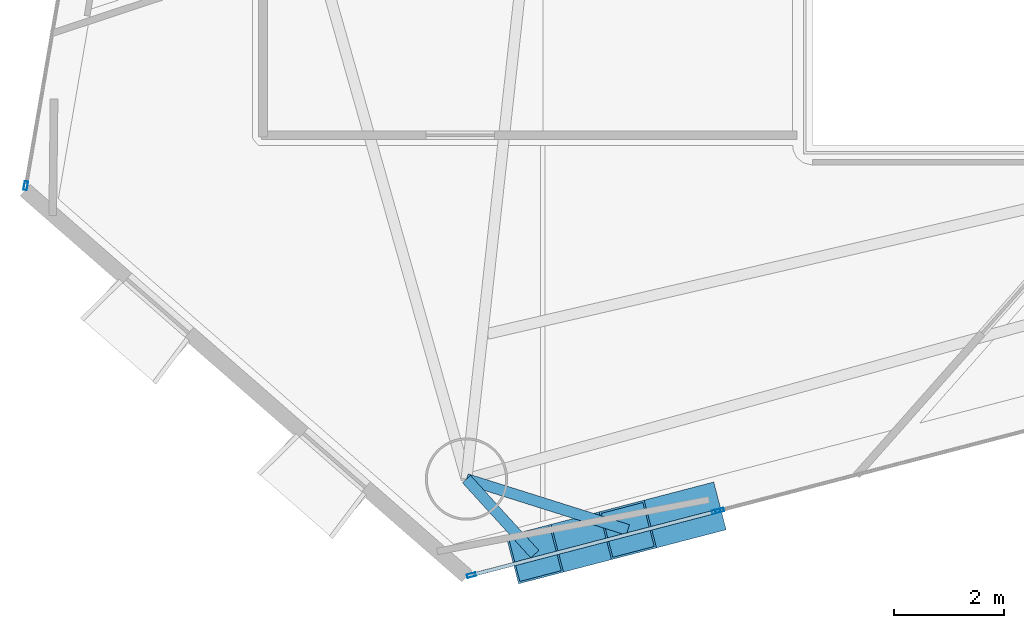
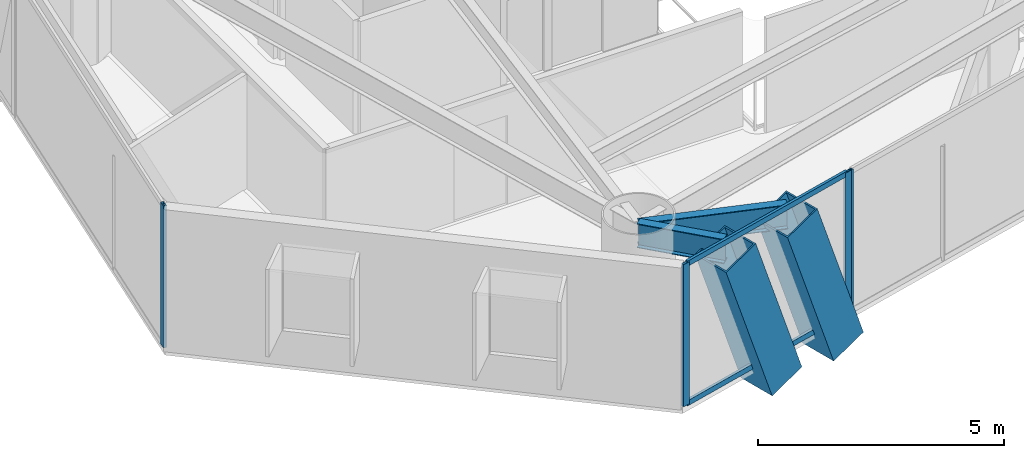
# One storey, part 2 of 21: 8 members, 2 beams, 3 elements without a shape of their own.
"""IFC4 building model written with IfcOpenShell, lengths in metres."""

from ifc_helpers import new_model, si_unit, direction, frame, origin, origin_2d, place, context, subcontext, project, spatial, hollow_rectangle, i_section, extrude, material, layer, layer_set, material_profile, profile_set, type_object, element, aggregate, save


model = new_model("IFC4")

# Units and contexts
model_context = context("Model", 3, precision=1e-05, world=origin(), true_north=direction((0.0, 1.0)))
body_context = subcontext(model_context, "Body", "Model", "MODEL_VIEW")
ifc_project = project(units=[si_unit("LENGTHUNIT", "METRE"), si_unit("AREAUNIT", "SQUARE_METRE"), si_unit("VOLUMEUNIT", "CUBIC_METRE"), si_unit("PLANEANGLEUNIT", "RADIAN"), si_unit("MASSUNIT", "GRAM", prefix="KILO")], contexts=[model_context])

# Site, building, storey
site_placement = place(None, origin())
site = spatial("IfcSite", under=ifc_project, at=site_placement, CompositionType="ELEMENT")
building_placement = place(site_placement, origin())
building = spatial("IfcBuilding", under=site, at=building_placement, Name="Qianvela Tower", CompositionType="ELEMENT")
storey_placement = place(building_placement, frame((0.0, 0.0, 108.89990234375)))
storey = spatial("IfcBuildingStorey", under=building, at=storey_placement, Name="L27", CompositionType="ELEMENT", Elevation=108.89990234375)

# Beams
ifc_material_1 = material(Name="Steel Q355B", Category="steel")
ifc_material_profile_1 = material_profile(ifc_material_1, i_section(OverallWidth=0.199951171875, OverallDepth=0.60009765625, WebThickness=0.010986328125, FlangeThickness=0.01708984375, at=origin_2d()), Name="HN600x200x11x17")
ifc_profile_set_1 = profile_set([ifc_material_profile_1], Name="Steel Q355B")
beam_type = type_object("IfcBeamType", Name="BM-HN600-GIRD", PredefinedType="BEAM", material=ifc_profile_set_1)
beam_1_placement = place(storey_placement, frame((27.2919921875, 11.908935546875, 3.218017578125), z_axis=(0.67344035806, -0.739241560071, 0.0), x_axis=(0.739241560071, 0.67344035806, 0.0)))
element("IfcBeam", 1, at=beam_1_placement, inside=storey, type_object=beam_type, Name="L27 Mega-Brace Column Tie Bracket F3-1", PredefinedType="BEAM", context=body_context, shape_type="SweptSolid", body=[
    extrude(i_section(OverallWidth=0.199951171875, OverallDepth=0.60009765625, WebThickness=0.010986328125, FlangeThickness=0.01708984375, at=origin_2d()), origin(), (0.0, 0.0, 1.0), 1.851318359375),
])
beam_2_placement = place(storey_placement, frame((27.2919921875, 11.908935546875, 3.218017578125), z_axis=(0.953783340274, -0.300495157724, 0.0), x_axis=(0.300495157724, 0.953783340274, 0.0)))
element("IfcBeam", 2, at=beam_2_placement, inside=storey, type_object=beam_type, Name="L27 Mega-Brace Column Tie Bracket F3-2", PredefinedType="BEAM", context=body_context, shape_type="SweptSolid", body=[
    extrude(i_section(OverallWidth=0.199951171875, OverallDepth=0.60009765625, WebThickness=0.010986328125, FlangeThickness=0.01708984375, at=origin_2d()), origin(), (0.0, 0.0, 1.0), 3.085693359375),
])

# Curtain wall, members
ifc_material_2 = material(Name="Anodised Architectural Aluminium and Insulated Spandrel Panel", Category="aluminium")
ifc_layer_1 = layer(ifc_material_2, 0.179931640625)
ifc_layer_set_1 = layer_set([ifc_layer_1], Name="Anodised Architectural Aluminium and Insulated Spandrel Panel")
curtain_wall_type_1 = type_object("IfcCurtainWallType", Name="CW-BRACEBAY", PredefinedType="USERDEFINED", material=ifc_layer_set_1)
curtain_wall_1_placement = place(storey_placement, origin())
curtain_wall_1 = element("IfcCurtainWall", 3, at=curtain_wall_1_placement, inside=storey, type_object=curtain_wall_type_1, Name="L27 CW-BRACEBAY Curtain Wall 06A", ObjectType="CURTAIN_WALL_SYSTEM", PredefinedType="USERDEFINED")
ifc_material_3 = material(Name="Anodised Architectural Aluminium 6063-T6", Category="aluminium")
ifc_material_profile_2 = material_profile(ifc_material_3, hollow_rectangle(XDim=0.06494140625, YDim=0.159912109375, WallThickness=0.0048828125, at=origin_2d()), Name="ALU-MULL-65x160")
ifc_profile_set_2 = profile_set([ifc_material_profile_2], Name="Anodised Architectural Aluminium 6063-T6")
member_type_1 = type_object("IfcMemberType", Name="CW-BRACEBAY-MULL", PredefinedType="MULLION", material=ifc_profile_set_2)
member_1_placement = place(storey_placement, frame((27.380859375, 10.156005859375, 0.0), z_axis=(0.0, 0.0, 1.0), x_axis=(-0.251946067487, 0.967741276932, 0.0)))
member_1 = element("IfcMember", 4, at=member_1_placement, type_object=member_type_1, Name="CW-9 mullion 1", PredefinedType="MULLION", context=body_context, shape_type="SweptSolid", body=[
    extrude(hollow_rectangle(XDim=0.06494140625, YDim=0.159912109375, WallThickness=0.0048828125, at=origin_2d()), origin(), (0.0, 0.0, 1.0), 3.52001953125),
])
member_2_placement = place(storey_placement, frame((31.846923828125, 11.318603515625, 0.0), z_axis=(0.0, 0.0, 1.0), x_axis=(-0.251946067487, 0.967741276932, 0.0)))
member_2 = element("IfcMember", 5, at=member_2_placement, type_object=member_type_1, Name="CW-9 mullion 2", PredefinedType="MULLION", context=body_context, shape_type="SweptSolid", body=[
    extrude(hollow_rectangle(XDim=0.06494140625, YDim=0.159912109375, WallThickness=0.0048828125, at=origin_2d()), origin(), (0.0, 0.0, 1.0), 3.52001953125),
])
ifc_material_4 = material(Name="Anodised Architectural Aluminium 6063-T6", Category="aluminium")
ifc_material_profile_3 = material_profile(ifc_material_4, hollow_rectangle(XDim=0.06494140625, YDim=0.1298828125, WallThickness=0.00439453125, at=origin_2d()), Name="ALU-TRAN-65x130")
ifc_profile_set_3 = profile_set([ifc_material_profile_3], Name="Anodised Architectural Aluminium 6063-T6")
member_type_2 = type_object("IfcMemberType", Name="CW-BRACEBAY-TRAN", PredefinedType="USERDEFINED", material=ifc_profile_set_3)
member_3_placement = place(storey_placement, frame((27.412353515625, 10.1640625, 0.03271484375), z_axis=(0.967732276546, 0.251980636022, 0.0), x_axis=(-0.251980636022, 0.967732276546, 0.0)))
member_3 = element("IfcMember", 6, at=member_3_placement, type_object=member_type_2, Name="CW-9 transom 1.1", ObjectType="TRANSOM", PredefinedType="USERDEFINED", context=body_context, shape_type="SweptSolid", body=[
    extrude(hollow_rectangle(XDim=0.06494140625, YDim=0.1298828125, WallThickness=0.00439453125, at=origin_2d()), origin(), (0.0, 0.0, 1.0), 4.5498046875),
])
member_4_placement = place(storey_placement, frame((27.412353515625, 10.1640625, 3.487548828125), z_axis=(0.967732276546, 0.251980636022, 0.0), x_axis=(-0.251980636022, 0.967732276546, 0.0)))
member_4 = element("IfcMember", 7, at=member_4_placement, type_object=member_type_2, Name="CW-9 transom 1.2", ObjectType="TRANSOM", PredefinedType="USERDEFINED", context=body_context, shape_type="SweptSolid", body=[
    extrude(hollow_rectangle(XDim=0.06494140625, YDim=0.1298828125, WallThickness=0.00439453125, at=origin_2d()), origin(), (0.0, 0.0, 1.0), 4.5498046875),
])
aggregate(curtain_wall_1, [member_1, member_2, member_3, member_4])

# Curtain wall, member
ifc_material_5 = material(Name="Anodised Architectural Aluminium and Low-E Glass", Category="aluminium")
ifc_layer_2 = layer(ifc_material_5, 0.169921875)
ifc_layer_set_2 = layer_set([ifc_layer_2], Name="Anodised Architectural Aluminium and Low-E Glass")
curtain_wall_type_2 = type_object("IfcCurtainWallType", Name="CW-COLIV-Z34", PredefinedType="USERDEFINED", material=ifc_layer_set_2)
curtain_wall_2_placement = place(storey_placement, origin())
curtain_wall_2 = element("IfcCurtainWall", 8, at=curtain_wall_2_placement, inside=storey, type_object=curtain_wall_type_2, Name="L27 CW-COLIV-Z34 Curtain Wall 04C", ObjectType="CURTAIN_WALL_SYSTEM", PredefinedType="USERDEFINED")
ifc_material_6 = material(Name="Anodised Architectural Aluminium 6063-T6", Category="aluminium")
ifc_material_profile_4 = material_profile(ifc_material_6, hollow_rectangle(XDim=0.06494140625, YDim=0.159912109375, WallThickness=0.0048828125, at=origin_2d()), Name="ALU-MULL-65x160")
ifc_profile_set_4 = profile_set([ifc_material_profile_4], Name="Anodised Architectural Aluminium 6063-T6")
member_type_3 = type_object("IfcMemberType", Name="CW-COLIV-Z34-MULL", PredefinedType="MULLION", material=ifc_profile_set_4)
member_5_placement = place(storey_placement, frame((19.25390625, 17.260009765625, 0.0), z_axis=(0.0, 0.0, 1.0), x_axis=(0.985526313898, -0.169522519491, 0.0)))
member_5 = element("IfcMember", 9, at=member_5_placement, type_object=member_type_3, Name="CW-4 mullion 2", PredefinedType="MULLION", context=body_context, shape_type="SweptSolid", body=[
    extrude(hollow_rectangle(XDim=0.06494140625, YDim=0.159912109375, WallThickness=0.0048828125, at=origin_2d()), origin(), (0.0, 0.0, 1.0), 3.52001953125),
])
aggregate(curtain_wall_2, [member_5])

curtain_wall_3_placement = place(storey_placement, origin())
curtain_wall_3 = element("IfcCurtainWall", 10, at=curtain_wall_3_placement, inside=storey, type_object=curtain_wall_type_2, Name="L27 CW-COLIV-Z34 Curtain Wall 06B", ObjectType="CURTAIN_WALL_SYSTEM", PredefinedType="USERDEFINED")
member_6_placement = place(storey_placement, frame((31.909912109375, 11.335205078125, 0.0), z_axis=(0.0, 0.0, 1.0), x_axis=(-0.251949218028, 0.9677404567, 0.0)))
member_6 = element("IfcMember", 11, at=member_6_placement, type_object=member_type_3, Name="CW-4 mullion 1", PredefinedType="MULLION", context=body_context, shape_type="SweptSolid", body=[
    extrude(hollow_rectangle(XDim=0.06494140625, YDim=0.159912109375, WallThickness=0.0048828125, at=origin_2d()), origin(), (0.0, 0.0, 1.0), 3.52001953125),
])
aggregate(curtain_wall_3, [member_6])

# Members
ifc_material_7 = material(Name="Steel Q420GJC", Category="steel")
ifc_material_profile_5 = material_profile(ifc_material_7, hollow_rectangle(XDim=0.89990234375, YDim=0.89990234375, WallThickness=0.035888671875, at=origin_2d()), Name="MBOX-900x900x36")
ifc_profile_set_5 = profile_set([ifc_material_profile_5], Name="Steel Q420GJC")
member_type_4 = type_object("IfcMemberType", Name="MBR-MBRACE-900", PredefinedType="BRACE", material=ifc_profile_set_5)
for number, where, z_axis, x_axis, name in (
    (12, (29.80908203125, 10.870849609375, -0.48193359375), (-0.323562049762, -0.084202001802, 0.942452981769), (0.251846399239, -0.967767219527, 0.0), "L27 Tier 4 Exterior Mega-Brace F3A"),
    (13, (31.505126953125, 11.3125, -0.48193359375), (-0.323504676393, -0.08426544339, 0.942467007063), (0.252065960268, -0.967710055582, 0.0), "L27 Tier 4 Exterior Mega-Brace F3B"),
):
    element("IfcMember", number, at=place(storey_placement, frame(where, z_axis=z_axis, x_axis=x_axis)), inside=storey, type_object=member_type_4, Name=name, PredefinedType="BRACE", context=body_context, shape_type="SweptSolid", body=[
        extrude(hollow_rectangle(XDim=0.89990234375, YDim=0.89990234375, WallThickness=0.035888671875, at=origin_2d()), origin(), (0.0, 0.0, 1.0), 3.92578125),
    ])

save(model, "model.ifc")
